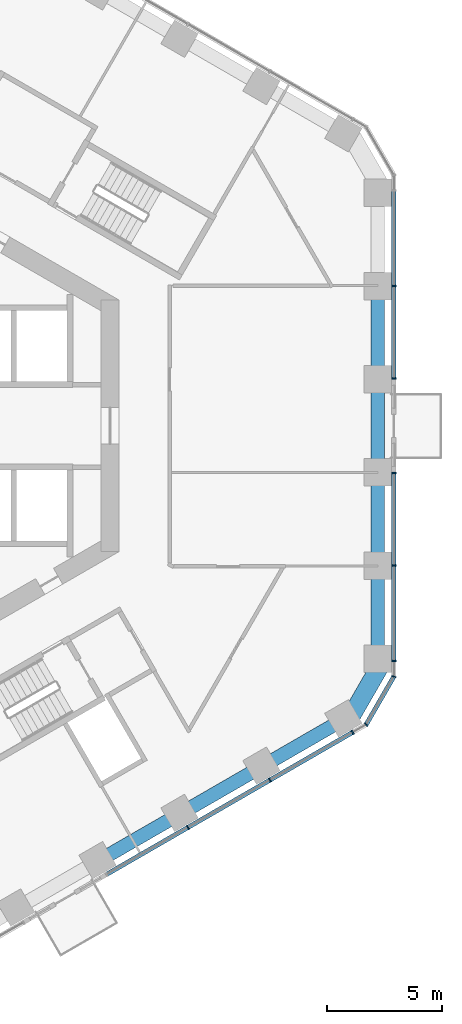
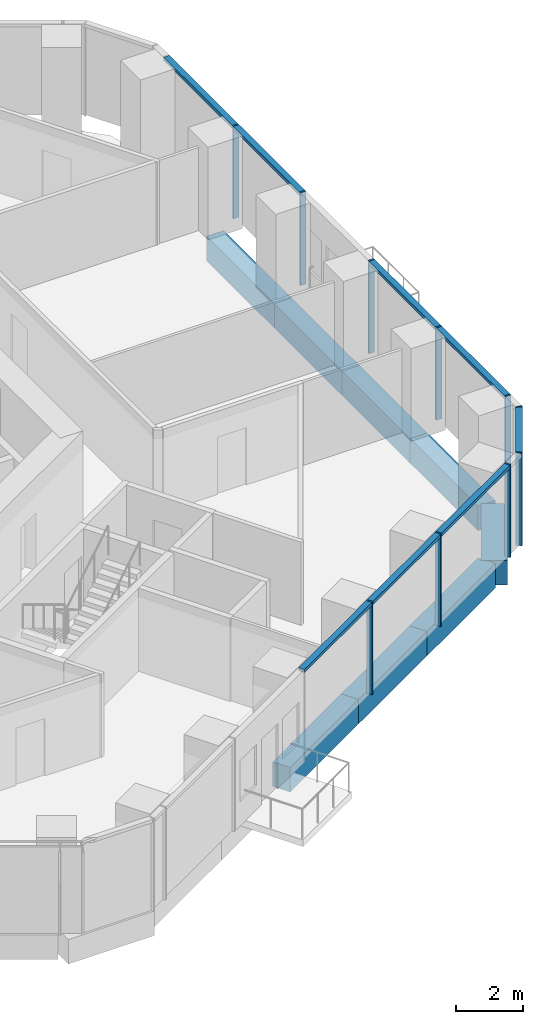
# One storey, part 5 of 20: 14 members, 8 beams, 4 elements without a shape of their own.
"""IFC4 building model written with IfcOpenShell, lengths in metres."""

from ifc_helpers import new_model, si_unit, direction, frame, origin, origin_2d, place, context, subcontext, project, spatial, rectangle, extrude, material, layer, layer_set, material_profile, profile_set, type_object, element, aggregate, save


model = new_model("IFC4")

# Units and contexts
model_context = context("Model", 3, precision=1e-05, world=origin(), true_north=direction((0.0, 1.0)))
body_context = subcontext(model_context, "Body", "Model", "MODEL_VIEW")
ifc_project = project(units=[si_unit("LENGTHUNIT", "METRE"), si_unit("AREAUNIT", "SQUARE_METRE"), si_unit("VOLUMEUNIT", "CUBIC_METRE"), si_unit("PLANEANGLEUNIT", "RADIAN"), si_unit("MASSUNIT", "GRAM", prefix="KILO")], contexts=[model_context])

# Site, building, storey
site_placement = place(None, origin())
site = spatial("IfcSite", under=ifc_project, at=site_placement, CompositionType="ELEMENT")
building_placement = place(site_placement, origin())
building = spatial("IfcBuilding", under=site, at=building_placement, Name="Ayvan Gate Tower", CompositionType="ELEMENT")
storey_placement = place(building_placement, frame((0.0, 0.0, 28.89990234375)))
storey = spatial("IfcBuildingStorey", under=building, at=storey_placement, Name="L06", CompositionType="ELEMENT", Elevation=28.89990234375)

# Beams
ifc_material_1 = material(Name="Concrete C40/50", Category="concrete")
ifc_material_profile_1 = material_profile(ifc_material_1, rectangle(XDim=0.800048828125, YDim=0.89990234375, at=origin_2d()), Name="RC 800x900")
ifc_profile_set_1 = profile_set([ifc_material_profile_1], Name="Concrete C40/50")
beam_type_1 = type_object("IfcBeamType", Name="Corner spandrel beam RC 800x900 C40/50", PredefinedType="BEAM", material=ifc_profile_set_1)
beam_1_placement = place(storey_placement, frame((19.47509765625, -12.923583984375, -0.7998046875), z_axis=(0.499990139034, 0.866031096941, 0.0), x_axis=(-0.866031096941, 0.499990139034, 0.0)))
element("IfcBeam", 1, at=beam_1_placement, inside=storey, type_object=beam_type_1, Name="SB-L06-36", PredefinedType="BEAM", context=body_context, shape_type="SweptSolid", body=[
    extrude(rectangle(XDim=0.800048828125, YDim=0.89990234375, at=origin_2d()), origin(), (0.0, 0.0, 1.0), 3.0),
])
ifc_material_profile_2 = material_profile(ifc_material_1, rectangle(XDim=0.60009765625, YDim=0.89990234375, at=origin_2d()), Name="RC 600x900")
ifc_profile_set_2 = profile_set([ifc_material_profile_2], Name="Concrete C40/50")
beam_type_2 = type_object("IfcBeamType", Name="Spandrel beam RC 600x900 C40/50", PredefinedType="BEAM", material=ifc_profile_set_2)
for number, where, z_axis, x_axis, name in (
    (2, (20.78466796875, -10.215576171875, -0.7998046875), (0.0, 1.0, 0.0), (-1.0, 0.0, 0.0), "SB-L06-1"),
    (3, (20.78466796875, -6.12939453125, -0.7998046875), (0.0, 1.0, 0.0), (-1.0, 0.0, 0.0), "SB-L06-2"),
):
    element("IfcBeam", number, at=place(storey_placement, frame(where, z_axis=z_axis, x_axis=x_axis)), inside=storey, type_object=beam_type_2, Name=name, PredefinedType="BEAM", context=body_context, shape_type="SweptSolid", body=[
        extrude(rectangle(XDim=0.60009765625, YDim=0.89990234375, at=origin_2d()), origin(), (0.0, 0.0, 1.0), 4.086181640625),
    ])
beam_2_placement = place(storey_placement, frame((20.78466796875, -2.043212890625, -0.7998046875), z_axis=(0.0, 1.0, 0.0), x_axis=(-1.0, 0.0, 0.0)))
element("IfcBeam", 4, at=beam_2_placement, inside=storey, type_object=beam_type_2, Name="SB-L06-3", PredefinedType="BEAM", context=body_context, shape_type="SweptSolid", body=[
    extrude(rectangle(XDim=0.60009765625, YDim=0.89990234375, at=origin_2d()), origin(), (0.0, 0.0, 1.0), 4.08642578125),
])
beam_3_placement = place(storey_placement, frame((20.78466796875, 2.043212890625, -0.7998046875), z_axis=(0.0, 1.0, 0.0), x_axis=(-1.0, 0.0, 0.0)))
element("IfcBeam", 5, at=beam_3_placement, inside=storey, type_object=beam_type_2, Name="SB-L06-4", PredefinedType="BEAM", context=body_context, shape_type="SweptSolid", body=[
    extrude(rectangle(XDim=0.60009765625, YDim=0.89990234375, at=origin_2d()), origin(), (0.0, 0.0, 1.0), 4.086181640625),
])
beam_4_placement = place(storey_placement, frame((8.586669921875, -18.989990234375, -0.7998046875), z_axis=(0.866045379038, 0.49996540025, 0.0), x_axis=(-0.49996540025, 0.866045379038, 0.0)))
element("IfcBeam", 6, at=beam_4_placement, inside=storey, type_object=beam_type_2, Name="SB-L06-33", PredefinedType="BEAM", context=body_context, shape_type="SweptSolid", body=[
    extrude(rectangle(XDim=0.60009765625, YDim=0.89990234375, at=origin_2d()), origin(), (0.0, 0.0, 1.0), 4.117431640625),
])
beam_5_placement = place(storey_placement, frame((12.152587890625, -16.931396484375, -0.7998046875), z_axis=(0.866019704869, 0.500009870681, 0.0), x_axis=(-0.500009870681, 0.866019704869, 0.0)))
element("IfcBeam", 7, at=beam_5_placement, inside=storey, type_object=beam_type_2, Name="SB-L06-34", PredefinedType="BEAM", context=body_context, shape_type="SweptSolid", body=[
    extrude(rectangle(XDim=0.60009765625, YDim=0.89990234375, at=origin_2d()), origin(), (0.0, 0.0, 1.0), 4.11767578125),
])
beam_6_placement = place(storey_placement, frame((15.718505859375, -14.87255859375, -0.7998046875), z_axis=(0.866034527326, 0.49998419723, 0.0), x_axis=(-0.49998419723, 0.866034527326, 0.0)))
element("IfcBeam", 8, at=beam_6_placement, inside=storey, type_object=beam_type_2, Name="SB-L06-35", PredefinedType="BEAM", context=body_context, shape_type="SweptSolid", body=[
    extrude(rectangle(XDim=0.60009765625, YDim=0.89990234375, at=origin_2d()), origin(), (0.0, 0.0, 1.0), 4.117919921875),
])

# Curtain wall, members
ifc_material_2 = material(Name="Bronze anodised aluminium", Category="aluminium")
ifc_layer_1 = layer(ifc_material_2, 0.199951171875)
ifc_layer_set_1 = layer_set([ifc_layer_1], Name="Bronze anodised aluminium")
curtain_wall_type_1 = type_object("IfcCurtainWallType", Name="Stick curtain wall CW-1", PredefinedType="NOTDEFINED", material=ifc_layer_set_1)
curtain_wall_1_placement = place(storey_placement, origin())
curtain_wall_1 = element("IfcCurtainWall", 9, at=curtain_wall_1_placement, inside=storey, type_object=curtain_wall_type_1, Name="Stick curtain wall CW-1 L06", PredefinedType="NOTDEFINED")
ifc_material_profile_3 = material_profile(ifc_material_2, rectangle(XDim=0.199951171875, YDim=0.06005859375, at=origin_2d()), Name="Stick curtain wall CW-1 mullion 200 x 60")
ifc_profile_set_3 = profile_set([ifc_material_profile_3], Name="Bronze anodised aluminium")
member_type_1 = type_object("IfcMemberType", Name="Stick curtain wall CW-1 mullion 200 x 60", PredefinedType="MULLION", material=ifc_profile_set_3)
member_1_placement = place(storey_placement, frame((12.499755859375, -17.52294921875, 0.0), z_axis=(0.0, 0.0, 1.0), x_axis=(0.5, -0.866025403784, 0.0)))
member_1 = element("IfcMember", 10, at=member_1_placement, type_object=member_type_1, Name="CW-1 mullion 2", PredefinedType="MULLION", context=body_context, shape_type="SweptSolid", body=[
    extrude(rectangle(XDim=0.199951171875, YDim=0.06005859375, at=origin_2d()), origin(), (0.0, 0.0, 1.0), 3.400146484375),
])
member_2_placement = place(storey_placement, frame((16.07470703125, -15.458984375, 0.0), z_axis=(0.0, 0.0, 1.0), x_axis=(0.5, -0.866025403784, 0.0)))
member_2 = element("IfcMember", 11, at=member_2_placement, type_object=member_type_1, Name="CW-1 mullion 3", PredefinedType="MULLION", context=body_context, shape_type="SweptSolid", body=[
    extrude(rectangle(XDim=0.199951171875, YDim=0.06005859375, at=origin_2d()), origin(), (0.0, 0.0, 1.0), 3.400146484375),
])
member_3_placement = place(storey_placement, frame((19.6884765625, -13.37255859375, 0.0), z_axis=(0.0, 0.0, 1.0), x_axis=(0.5, -0.866025403784, 0.0)))
member_3 = element("IfcMember", 12, at=member_3_placement, type_object=member_type_1, Name="CW-1 mullion 4", PredefinedType="MULLION", context=body_context, shape_type="SweptSolid", body=[
    extrude(rectangle(XDim=0.199951171875, YDim=0.06005859375, at=origin_2d()), origin(), (0.0, 0.0, 1.0), 3.400146484375),
])

curtain_wall_2_placement = place(storey_placement, origin())
curtain_wall_2 = element("IfcCurtainWall", 13, at=curtain_wall_2_placement, inside=storey, type_object=curtain_wall_type_1, Name="Stick curtain wall CW-1 L06", PredefinedType="NOTDEFINED")
member_4_placement = place(storey_placement, frame((21.484619140625, -10.261474609375, 0.0), z_axis=(0.0, 0.0, 1.0), x_axis=(1.0, 0.0, 0.0)))
member_4 = element("IfcMember", 14, at=member_4_placement, type_object=member_type_1, Name="CW-1 mullion 1", PredefinedType="MULLION", context=body_context, shape_type="SweptSolid", body=[
    extrude(rectangle(XDim=0.199951171875, YDim=0.06005859375, at=origin_2d()), origin(), (0.0, 0.0, 1.0), 3.400146484375),
])
member_5_placement = place(storey_placement, frame((21.484619140625, -6.099609375, 0.0), z_axis=(0.0, 0.0, 1.0), x_axis=(1.0, 0.0, 0.0)))
member_5 = element("IfcMember", 15, at=member_5_placement, type_object=member_type_1, Name="CW-1 mullion 2", PredefinedType="MULLION", context=body_context, shape_type="SweptSolid", body=[
    extrude(rectangle(XDim=0.199951171875, YDim=0.06005859375, at=origin_2d()), origin(), (0.0, 0.0, 1.0), 3.400146484375),
])
member_6_placement = place(storey_placement, frame((21.484619140625, -2.0625, 0.0), z_axis=(0.0, 0.0, 1.0), x_axis=(1.0, 0.0, 0.0)))
member_6 = element("IfcMember", 16, at=member_6_placement, type_object=member_type_1, Name="CW-1 mullion 3", PredefinedType="MULLION", context=body_context, shape_type="SweptSolid", body=[
    extrude(rectangle(XDim=0.199951171875, YDim=0.06005859375, at=origin_2d()), origin(), (0.0, 0.0, 1.0), 3.400146484375),
])

curtain_wall_3_placement = place(storey_placement, origin())
curtain_wall_3 = element("IfcCurtainWall", 17, at=curtain_wall_3_placement, inside=storey, type_object=curtain_wall_type_1, Name="Stick curtain wall CW-1 L06", PredefinedType="NOTDEFINED")
member_7_placement = place(storey_placement, frame((21.484619140625, 2.0634765625, 0.0), z_axis=(0.0, 0.0, 1.0), x_axis=(1.0, 0.0, 0.0)))
member_7 = element("IfcMember", 18, at=member_7_placement, type_object=member_type_1, Name="CW-1 mullion 1", PredefinedType="MULLION", context=body_context, shape_type="SweptSolid", body=[
    extrude(rectangle(XDim=0.199951171875, YDim=0.06005859375, at=origin_2d()), origin(), (0.0, 0.0, 1.0), 3.400146484375),
])
member_8_placement = place(storey_placement, frame((21.484619140625, 6.099365234375, 0.0), z_axis=(0.0, 0.0, 1.0), x_axis=(1.0, 0.0, 0.0)))
member_8 = element("IfcMember", 19, at=member_8_placement, type_object=member_type_1, Name="CW-1 mullion 2", PredefinedType="MULLION", context=body_context, shape_type="SweptSolid", body=[
    extrude(rectangle(XDim=0.199951171875, YDim=0.06005859375, at=origin_2d()), origin(), (0.0, 0.0, 1.0), 3.400146484375),
])

# Member
ifc_material_profile_4 = material_profile(ifc_material_2, rectangle(XDim=0.199951171875, YDim=0.1201171875, at=origin_2d()), Name="Stick curtain wall CW-1 transom 200 x 120")
ifc_profile_set_4 = profile_set([ifc_material_profile_4], Name="Bronze anodised aluminium")
member_type_2 = type_object("IfcMemberType", Name="Stick curtain wall CW-1 transom 200 x 120", PredefinedType="USERDEFINED", material=ifc_profile_set_4)
member_9_placement = place(storey_placement, frame((8.95166015625, -19.571533203125, 3.340087890625), z_axis=(0.866022932134, 0.500004281, 0.0), x_axis=(-0.500004281, 0.866022932134, 0.0)))
member_9 = element("IfcMember", 20, at=member_9_placement, type_object=member_type_2, Name="CW-1 transom 1", ObjectType="TRANSOM", PredefinedType="USERDEFINED", context=body_context, shape_type="SweptSolid", body=[
    extrude(rectangle(XDim=0.199951171875, YDim=0.1201171875, at=origin_2d()), origin(), (0.0, 0.0, 1.0), 12.39794921875),
])

aggregate(curtain_wall_1, [member_1, member_2, member_3, member_9])

member_10_placement = place(storey_placement, frame((21.484619140625, -10.261474609375, 3.340087890625), z_axis=(0.0, 1.0, 0.0), x_axis=(-1.0, 0.0, 0.0)))
member_10 = element("IfcMember", 21, at=member_10_placement, type_object=member_type_2, Name="CW-1 transom 1", ObjectType="TRANSOM", PredefinedType="USERDEFINED", context=body_context, shape_type="SweptSolid", body=[
    extrude(rectangle(XDim=0.199951171875, YDim=0.1201171875, at=origin_2d()), origin(), (0.0, 0.0, 1.0), 8.198974609375),
])

aggregate(curtain_wall_2, [member_4, member_5, member_6, member_10])

member_11_placement = place(storey_placement, frame((21.484619140625, 2.0634765625, 3.340087890625), z_axis=(0.0, 1.0, 0.0), x_axis=(-1.0, 0.0, 0.0)))
member_11 = element("IfcMember", 22, at=member_11_placement, type_object=member_type_2, Name="CW-1 transom 1", ObjectType="TRANSOM", PredefinedType="USERDEFINED", context=body_context, shape_type="SweptSolid", body=[
    extrude(rectangle(XDim=0.199951171875, YDim=0.1201171875, at=origin_2d()), origin(), (0.0, 0.0, 1.0), 8.197998046875),
])

aggregate(curtain_wall_3, [member_7, member_8, member_11])

# Curtain wall, members
ifc_layer_2 = layer(ifc_material_2, 0.199951171875)
ifc_layer_set_2 = layer_set([ifc_layer_2], Name="Bronze anodised aluminium")
curtain_wall_type_2 = type_object("IfcCurtainWallType", Name="Stick curtain wall CW-6", PredefinedType="NOTDEFINED", material=ifc_layer_set_2)
curtain_wall_4_placement = place(storey_placement, origin())
curtain_wall_4 = element("IfcCurtainWall", 23, at=curtain_wall_4_placement, inside=storey, type_object=curtain_wall_type_2, Name="Stick curtain wall CW-6 L06", PredefinedType="NOTDEFINED")
ifc_material_profile_5 = material_profile(ifc_material_2, rectangle(XDim=0.199951171875, YDim=0.050048828125, at=origin_2d()), Name="Stick curtain wall CW-6 mullion 200 x 50")
ifc_profile_set_5 = profile_set([ifc_material_profile_5], Name="Bronze anodised aluminium")
member_type_3 = type_object("IfcMemberType", Name="Stick curtain wall CW-6 mullion 200 x 50", PredefinedType="MULLION", material=ifc_profile_set_5)
member_12_placement = place(storey_placement, frame((20.27734375, -13.03271484375, 0.0), z_axis=(0.0, 0.0, 1.0), x_axis=(0.707106781187, -0.707106781187, 0.0)))
member_12 = element("IfcMember", 24, at=member_12_placement, type_object=member_type_3, Name="CW-6 mullion 2", PredefinedType="MULLION", context=body_context, shape_type="SweptSolid", body=[
    extrude(rectangle(XDim=0.199951171875, YDim=0.050048828125, at=origin_2d()), origin(), (0.0, 0.0, 1.0), 3.400146484375),
])
member_13_placement = place(storey_placement, frame((21.484619140625, -10.941650390625, 0.0), z_axis=(0.0, 0.0, 1.0), x_axis=(0.965925826289, -0.258819045103, 0.0)))
member_13 = element("IfcMember", 25, at=member_13_placement, type_object=member_type_3, Name="CW-6 mullion 3", PredefinedType="MULLION", context=body_context, shape_type="SweptSolid", body=[
    extrude(rectangle(XDim=0.199951171875, YDim=0.050048828125, at=origin_2d()), origin(), (0.0, 0.0, 1.0), 3.400146484375),
])
ifc_material_profile_6 = material_profile(ifc_material_2, rectangle(XDim=0.199951171875, YDim=0.1201171875, at=origin_2d()), Name="Stick curtain wall CW-6 transom 200 x 120")
ifc_profile_set_6 = profile_set([ifc_material_profile_6], Name="Bronze anodised aluminium")
member_type_4 = type_object("IfcMemberType", Name="Stick curtain wall CW-6 transom 200 x 120", PredefinedType="USERDEFINED", material=ifc_profile_set_6)
member_14_placement = place(storey_placement, frame((20.289794921875, -13.010986328125, 3.340087890625), z_axis=(0.500014398087, 0.866017090885, 0.0), x_axis=(-0.866017090885, 0.500014398087, 0.0)))
member_14 = element("IfcMember", 26, at=member_14_placement, type_object=member_type_4, Name="CW-6 transom 2", ObjectType="TRANSOM", PredefinedType="USERDEFINED", context=body_context, shape_type="SweptSolid", body=[
    extrude(rectangle(XDim=0.199951171875, YDim=0.1201171875, at=origin_2d()), origin(), (0.0, 0.0, 1.0), 2.36474609375),
])
aggregate(curtain_wall_4, [member_12, member_13, member_14])

save(model, "model.ifc")
